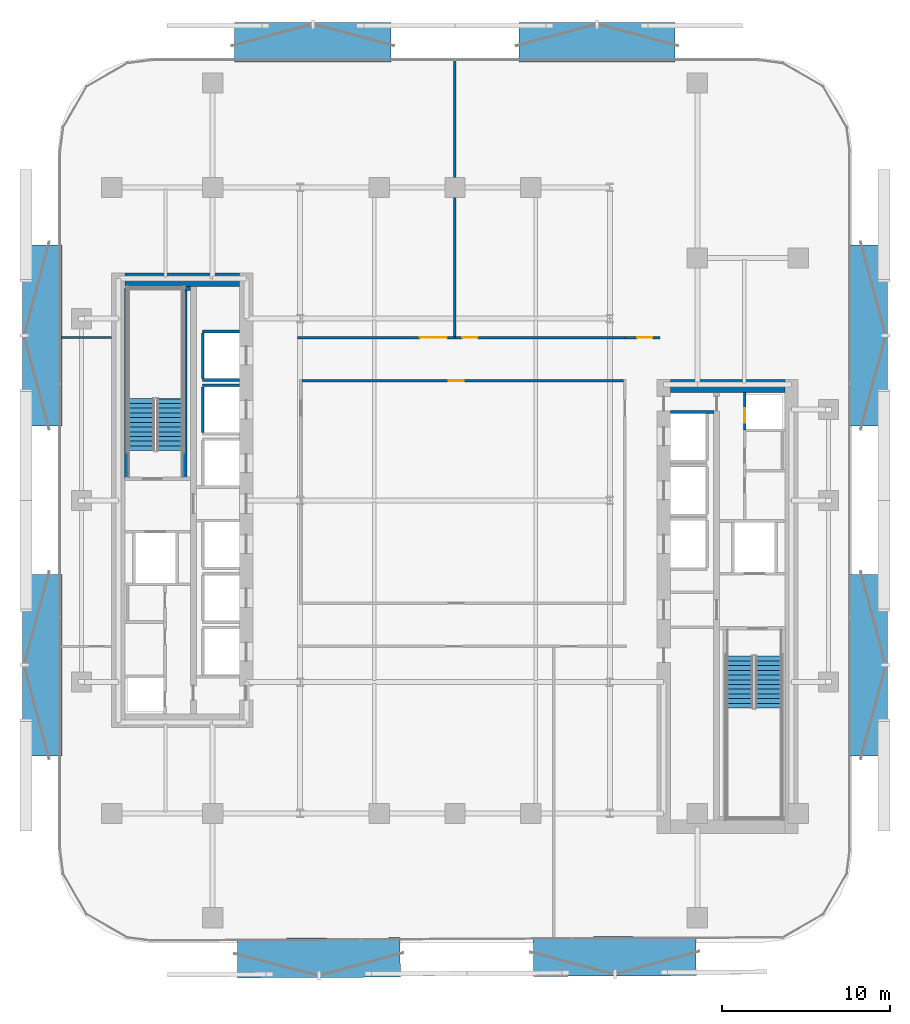
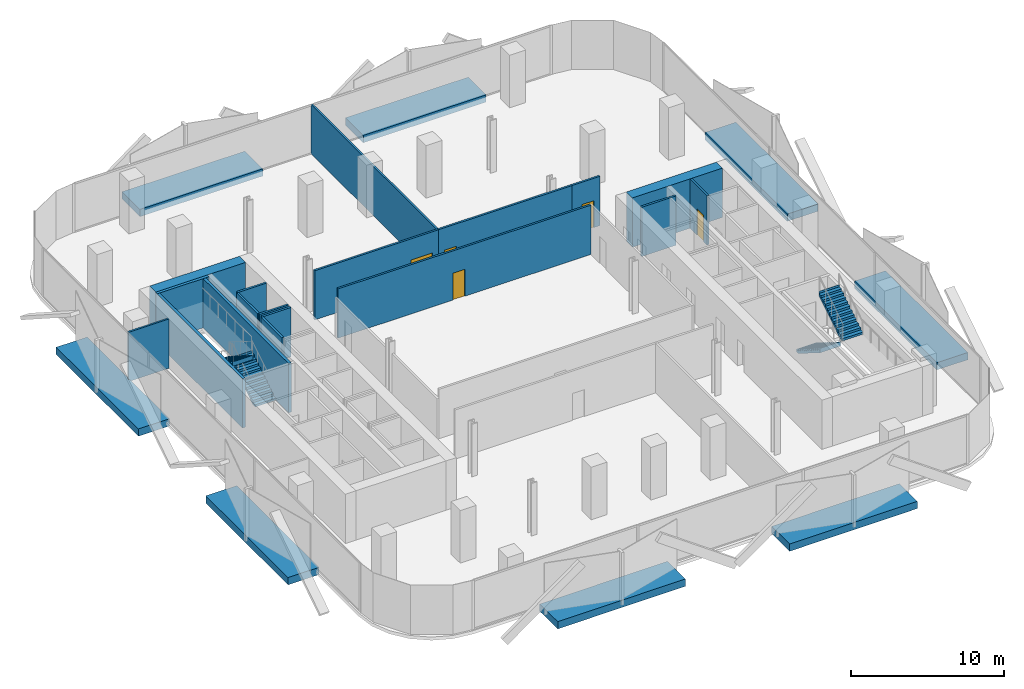
# One storey, part 5 of 14: 18 walls, 8 discrete accessories, 5 doors, 4 stair flights, 5 openings, 2 elements without a shape of their own.
"""IFC4 building model written with IfcOpenShell, lengths in metres."""

from ifc_helpers import new_model, si_unit, direction, frame, frame_2d, origin, origin_2d, place, context, subcontext, project, spatial, polyline, rectangle, outline, extrude, material, layer, layer_set, type_object, element, fill, aggregate, save


model = new_model("IFC4")

# Units and contexts
model_context = context("Model", 3, precision=1e-05, world=origin(), true_north=direction((0.0, 1.0)))
body_context = subcontext(model_context, "Body", "Model", "MODEL_VIEW")
ifc_project = project(units=[si_unit("LENGTHUNIT", "METRE"), si_unit("AREAUNIT", "SQUARE_METRE"), si_unit("VOLUMEUNIT", "CUBIC_METRE"), si_unit("PLANEANGLEUNIT", "RADIAN"), si_unit("MASSUNIT", "GRAM", prefix="KILO")], contexts=[model_context])

# Site, building, storey
site_placement = place(None, origin())
site = spatial("IfcSite", under=ifc_project, at=site_placement, CompositionType="ELEMENT")
building_placement = place(site_placement, origin())
building = spatial("IfcBuilding", under=site, at=building_placement, Name="Khairoan Windgate Tower", CompositionType="ELEMENT")
storey_placement = place(building_placement, frame((0.0, 0.0, 93.199951171875)))
storey = spatial("IfcBuildingStorey", under=building, at=storey_placement, Name="L21", CompositionType="ELEMENT", Elevation=93.199951171875)

# Walls
ifc_material_1 = material(Name="Concrete C40/50", Category="concrete")
ifc_layer_1 = layer(ifc_material_1, 0.159912109375, Name="Concrete C40/50")
ifc_layer_set_1 = layer_set([ifc_layer_1], Name="Concrete C40/50")
wall_type_1 = type_object("IfcWallType", Name="Core and Hoistway Enclosure Wall", PredefinedType="STANDARD", material=ifc_layer_set_1)
for number, where, z_axis, x_axis, name in (
    (1, (-14.989990234375, 7.159912109375, 0.0), (0.0, 0.0, 1.0), (1.0, 0.0, 0.0), "L21 Lift PL1 Hoistway Divider S"),
    (2, (-14.989990234375, 10.0400390625, 0.0), (0.0, 0.0, 1.0), (1.0, 0.0, 0.0), "L21 Lift PL1 Hoistway Divider N"),
):
    element("IfcWall", number, at=place(storey_placement, frame(where, z_axis=z_axis, x_axis=x_axis)), inside=storey, type_object=wall_type_1, Name=name, PredefinedType="STANDARD", context=body_context, shape_type="SweptSolid", body=[
        extrude(rectangle(XDim=2.18994140625, YDim=0.159912109375, at=frame_2d((1.094970703125, 0.0))), origin(), (0.0, 0.0, 1.0), 3.93994140625),
    ])
wall_1_placement = place(storey_placement, frame((-14.989990234375, 7.25, 0.0), z_axis=(0.0, 0.0, 1.0), x_axis=(0.0, 1.0, 0.0)))
element("IfcWall", 3, at=wall_1_placement, inside=storey, type_object=wall_type_1, Name="L21 Lift PL1 Hoistway Back Wall", PredefinedType="STANDARD", context=body_context, shape_type="SweptSolid", body=[
    extrude(rectangle(XDim=2.699951171875, YDim=0.159912109375, at=frame_2d((1.35009765625, 0.0))), origin(), (0.0, 0.0, 1.0), 3.93994140625),
])
wall_2_placement = place(storey_placement, frame((-14.989990234375, 6.840087890625, 0.0), z_axis=(0.0, 0.0, 1.0), x_axis=(1.0, 0.0, 0.0)))
element("IfcWall", 4, at=wall_2_placement, inside=storey, type_object=wall_type_1, Name="L21 Lift PL2 Hoistway Divider N", PredefinedType="STANDARD", context=body_context, shape_type="SweptSolid", body=[
    extrude(rectangle(XDim=2.18994140625, YDim=0.159912109375, at=frame_2d((1.094970703125, 0.0))), origin(), (0.0, 0.0, 1.0), 3.93994140625),
])
wall_3_placement = place(storey_placement, frame((-14.989990234375, 4.050048828125, 0.0), z_axis=(0.0, 0.0, 1.0), x_axis=(0.0, 1.0, 0.0)))
element("IfcWall", 5, at=wall_3_placement, inside=storey, type_object=wall_type_1, Name="L21 Lift PL2 Hoistway Back Wall", PredefinedType="STANDARD", context=body_context, shape_type="SweptSolid", body=[
    extrude(rectangle(XDim=2.699951171875, YDim=0.159912109375, at=frame_2d((1.35009765625, 0.0))), origin(), (0.0, 0.0, 1.0), 3.93994140625),
])
wall_4_placement = place(storey_placement, frame((12.800048828125, 5.25, 0.0), z_axis=(0.0, 0.0, 1.0), x_axis=(1.0, 0.0, 0.0)))
element("IfcWall", 6, at=wall_4_placement, inside=storey, type_object=wall_type_1, Name="L21 Core Shaft Wall SW-ESV-L21", PredefinedType="STANDARD", context=body_context, shape_type="SweptSolid", body=[
    extrude(rectangle(XDim=2.599853515625, YDim=0.159912109375, at=frame_2d((1.2998046875, 0.0))), origin(), (0.0, 0.0, 1.0), 3.93994140625),
])
ifc_material_2 = material(Name="Acoustic Fire-Rated Gypsum Partition", Category="gypsum")
ifc_layer_2 = layer(ifc_material_2, 0.139892578125, Name="Acoustic Fire-Rated Gypsum Partition")
ifc_layer_set_2 = layer_set([ifc_layer_2], Name="Acoustic Fire-Rated Gypsum Partition")
wall_type_2 = type_object("IfcWallType", Name="Inter-Tenancy Compartment Wall", PredefinedType="PARTITIONING", material=ifc_layer_set_2)
wall_5_placement = place(storey_placement, frame((-0.02001953125, 9.7548828125, 0.0), z_axis=(0.0, 0.0, 1.0), x_axis=(0.0, 1.0, 0.0)))
element("IfcWall", 7, at=wall_5_placement, inside=storey, type_object=wall_type_2, Name="L21 Interior Partition 020", PredefinedType="PARTITIONING", context=body_context, shape_type="SweptSolid", body=[
    extrude(rectangle(XDim=16.400146484375, YDim=0.139892578125, at=frame_2d((8.2001953125, 0.0))), origin(), (0.0, 0.0, 1.0), 3.93994140625),
])
wall_6_placement = place(storey_placement, frame((-23.455078125, 9.679931640625, 0.0), z_axis=(0.0, 0.0, 1.0), x_axis=(1.0, 0.0, 0.0)))
element("IfcWall", 8, at=wall_6_placement, inside=storey, type_object=wall_type_2, Name="L21 Interior Partition 021", PredefinedType="PARTITIONING", context=body_context, shape_type="SweptSolid", body=[
    extrude(rectangle(XDim=3.05517578125, YDim=0.139892578125, at=frame_2d((1.527587890625, 0.0))), origin(), (0.0, 0.0, 1.0), 3.93994140625),
])

# Wall, opening, door
ifc_material_3 = material(Name="Concrete C40/50", Category="concrete")
ifc_layer_3 = layer(ifc_material_3, 0.159912109375, Name="Concrete C40/50")
ifc_layer_set_3 = layer_set([ifc_layer_3], Name="Concrete C40/50")
wall_type_3 = type_object("IfcWallType", Name="Plant and Refuge Compartment Wall", PredefinedType="PARTITIONING", material=ifc_layer_set_3)
wall_7_placement = place(storey_placement, frame((17.22998046875, 4.169921875, 0.0), z_axis=(0.0, 0.0, 1.0), x_axis=(0.0, 1.0, 0.0)))
wall_7 = element("IfcWall", 9, at=wall_7_placement, inside=storey, type_object=wall_type_3, Name="L21 Interior Partition 006", PredefinedType="PARTITIONING", context=body_context, shape_type="SweptSolid", body=[
    extrude(rectangle(XDim=2.22998046875, YDim=0.159912109375, at=frame_2d((1.114990234375, 0.0))), origin(), (0.0, 0.0, 1.0), 3.93994140625),
])
opening_1_placement = place(wall_7_placement, frame((0.4599609375, 0.0, 0.0)))
opening_1 = element("IfcOpeningElement", 10, at=opening_1_placement, cuts=wall_7, Name="Opening FD-SRV", PredefinedType="OPENING", context=body_context, shape_type="SweptSolid", body=[
    extrude(rectangle(XDim=0.85009765625, YDim=2.10009765625, at=frame_2d((0.425048828125, 1.050048828125))), frame((0.0, 0.08984375, 0.0), z_axis=(0.0, -1.0, 0.0), x_axis=(1.0, 0.0, 0.0)), (0.0, 0.0, 1.0), 0.179931640625),
])
ifc_material_4 = material(Name="Steel S355", Category="steel")
door_type_1 = type_object("IfcDoorType", Name="Core Service and Riser Fire Door FD-SRV 850x2100", OperationType="NOTDEFINED", PredefinedType="DOOR", material=ifc_material_4)
door_1_placement = place(opening_1_placement, origin())
door_1 = element("IfcDoor", 11, at=door_1_placement, inside=storey, type_object=door_type_1, Name="L21 L21-19-L21-20 Door", OperationType="SINGLE_SWING_LEFT", OverallHeight=2.10009765625, OverallWidth=0.85009765625, PredefinedType="DOOR", context=body_context, shape_type="SweptSolid", body=[
    extrude(rectangle(XDim=0.85009765625, YDim=2.10009765625, at=frame_2d((0.425048828125, 1.050048828125))), frame((0.0, 0.02490234375, 0.0), z_axis=(0.0, -1.0, 0.0), x_axis=(1.0, 0.0, 0.0)), (0.0, 0.0, 1.0), 0.050048828125),
])
fill(opening_1, door_1)

ifc_material_5 = material(Name="Acoustic Fire-Rated Gypsum Partition", Category="gypsum")
ifc_layer_4 = layer(ifc_material_5, 0.14990234375, Name="Acoustic Fire-Rated Gypsum Partition")
ifc_layer_set_4 = layer_set([ifc_layer_4], Name="Acoustic Fire-Rated Gypsum Partition")
wall_type_4 = type_object("IfcWallType", Name="Rated Corridor Partition Wall", PredefinedType="PARTITIONING", material=ifc_layer_set_4)
wall_8_placement = place(storey_placement, frame((10.10009765625, 9.679931640625, 0.0), z_axis=(0.0, 0.0, 1.0), x_axis=(1.0, 0.0, 0.0)))
wall_8 = element("IfcWall", 12, at=wall_8_placement, inside=storey, type_object=wall_type_4, Name="L21 Interior Partition 013", PredefinedType="PARTITIONING", context=body_context, shape_type="SweptSolid", body=[
    extrude(rectangle(XDim=2.08984375, YDim=0.14990234375, at=frame_2d((1.044921875, 0.0))), origin(), (0.0, 0.0, 1.0), 3.93994140625),
])
opening_2_placement = place(wall_8_placement, frame((0.72998046875, 0.0, 0.0)))
opening_2 = element("IfcOpeningElement", 13, at=opening_2_placement, cuts=wall_8, Name="Opening FD-ENT", PredefinedType="OPENING", context=body_context, shape_type="SweptSolid", body=[
    extrude(rectangle(XDim=0.89990234375, YDim=2.14990234375, at=frame_2d((0.449951171875, 1.074951171875))), frame((0.0, 0.0849609375, 0.0), z_axis=(0.0, -1.0, 0.0), x_axis=(1.0, 0.0, 0.0)), (0.0, 0.0, 1.0), 0.169921875),
])
ifc_material_6 = material(Name="Timber Fire-Rated Core", Category="wood")
door_type_2 = type_object("IfcDoorType", Name="Unit and Office Fire Entrance Door FD-ENT 900x2150", OperationType="NOTDEFINED", PredefinedType="DOOR", material=ifc_material_6)
door_2_placement = place(opening_2_placement, origin())
door_2 = element("IfcDoor", 14, at=door_2_placement, inside=storey, type_object=door_type_2, Name="L21 L21-30-L21-35 Door", OperationType="SINGLE_SWING_RIGHT", OverallHeight=2.14990234375, OverallWidth=0.89990234375, PredefinedType="DOOR", context=body_context, shape_type="SweptSolid", body=[
    extrude(rectangle(XDim=0.89990234375, YDim=2.14990234375, at=frame_2d((0.449951171875, 1.074951171875))), frame((0.0, 0.02490234375, 0.0), z_axis=(0.0, -1.0, 0.0), x_axis=(1.0, 0.0, 0.0)), (0.0, 0.0, 1.0), 0.050048828125),
])
fill(opening_2, door_2)

wall_9_placement = place(storey_placement, frame((-9.0849609375, 7.1201171875, 0.0), z_axis=(0.0, 0.0, 1.0), x_axis=(1.0, 0.0, 0.0)))
wall_9 = element("IfcWall", 15, at=wall_9_placement, inside=storey, type_object=wall_type_4, Name="L21 Interior Partition 014", PredefinedType="PARTITIONING", context=body_context, shape_type="SweptSolid", body=[
    extrude(rectangle(XDim=19.10986328125, YDim=0.14990234375, at=frame_2d((9.554931640625, 0.0))), origin(), (0.0, 0.0, 1.0), 3.93994140625),
])
opening_3_placement = place(wall_9_placement, frame((8.702880859375, 0.0, 0.0)))
opening_3 = element("IfcOpeningElement", 16, at=opening_3_placement, cuts=wall_9, Name="Opening FD-ENT", PredefinedType="OPENING", context=body_context, shape_type="SweptSolid", body=[
    extrude(rectangle(XDim=0.89990234375, YDim=2.14990234375, at=frame_2d((0.449951171875, 1.074951171875))), frame((0.0, 0.0849609375, 0.0), z_axis=(0.0, -1.0, 0.0), x_axis=(1.0, 0.0, 0.0)), (0.0, 0.0, 1.0), 0.169921875),
])
door_3_placement = place(opening_3_placement, origin())
door_3 = element("IfcDoor", 17, at=door_3_placement, inside=storey, type_object=door_type_2, Name="L21 L21-31-L21-33 Door", OperationType="SINGLE_SWING_LEFT", OverallHeight=2.14990234375, OverallWidth=0.89990234375, PredefinedType="DOOR", context=body_context, shape_type="SweptSolid", body=[
    extrude(rectangle(XDim=0.89990234375, YDim=2.14990234375, at=frame_2d((0.449951171875, 1.074951171875))), frame((0.0, 0.02490234375, 0.0), z_axis=(0.0, -1.0, 0.0), x_axis=(1.0, 0.0, 0.0)), (0.0, 0.0, 1.0), 0.050048828125),
])
fill(opening_3, door_3)

wall_10_placement = place(storey_placement, frame((-9.360107421875, 9.679931640625, 0.0), z_axis=(0.0, 0.0, 1.0), x_axis=(1.0, 0.0, 0.0)))
wall_10 = element("IfcWall", 18, at=wall_10_placement, inside=storey, type_object=wall_type_4, Name="L21 Interior Partition 015", PredefinedType="PARTITIONING", context=body_context, shape_type="SweptSolid", body=[
    extrude(rectangle(XDim=9.340087890625, YDim=0.14990234375, at=frame_2d((4.669921875, 0.0))), origin(), (0.0, 0.0, 1.0), 3.93994140625),
])
opening_4_placement = place(wall_10_placement, frame((7.280029296875, 0.0, 0.0)))
opening_4 = element("IfcOpeningElement", 19, at=opening_4_placement, cuts=wall_10, Name="Opening FD-DBL", PredefinedType="OPENING", context=body_context, shape_type="SweptSolid", body=[
    extrude(rectangle(XDim=1.60009765625, YDim=2.25, at=frame_2d((0.800048828125, 1.125))), frame((0.0, 0.0849609375, 0.0), z_axis=(0.0, -1.0, 0.0), x_axis=(1.0, 0.0, 0.0)), (0.0, 0.0, 1.0), 0.169921875),
])
ifc_material_7 = material(Name="Steel S355", Category="steel")
door_type_3 = type_object("IfcDoorType", Name="Double Corridor Fire Door FD-DBL 1600x2250", OperationType="DOUBLE_DOOR_SINGLE_SWING", PredefinedType="DOOR", material=ifc_material_7)
door_4_placement = place(opening_4_placement, origin())
door_4 = element("IfcDoor", 20, at=door_4_placement, inside=storey, type_object=door_type_3, Name="L21 L21-31-L21-34 Door", OperationType="DOUBLE_DOOR_SINGLE_SWING", OverallHeight=2.25, OverallWidth=1.60009765625, PredefinedType="DOOR", context=body_context, shape_type="SweptSolid", body=[
    extrude(rectangle(XDim=1.60009765625, YDim=2.25, at=frame_2d((0.800048828125, 1.125))), frame((0.0, 0.02490234375, 0.0), z_axis=(0.0, -1.0, 0.0), x_axis=(1.0, 0.0, 0.0)), (0.0, 0.0, 1.0), 0.050048828125),
])
fill(opening_4, door_4)

wall_11_placement = place(storey_placement, frame((-0.02001953125, 9.679931640625, 0.0), z_axis=(0.0, 0.0, 1.0), x_axis=(1.0, 0.0, 0.0)))
wall_11 = element("IfcWall", 21, at=wall_11_placement, inside=storey, type_object=wall_type_4, Name="L21 Interior Partition 016", PredefinedType="PARTITIONING", context=body_context, shape_type="SweptSolid", body=[
    extrude(rectangle(XDim=10.1201171875, YDim=0.14990234375, at=frame_2d((5.06005859375, 0.0))), origin(), (0.0, 0.0, 1.0), 3.93994140625),
])
opening_5_placement = place(wall_11_placement, frame((0.4599609375, 0.0, 0.0)))
opening_5 = element("IfcOpeningElement", 22, at=opening_5_placement, cuts=wall_11, Name="Opening FD-ENT", PredefinedType="OPENING", context=body_context, shape_type="SweptSolid", body=[
    extrude(rectangle(XDim=0.89990234375, YDim=2.14990234375, at=frame_2d((0.449951171875, 1.074951171875))), frame((0.0, 0.0849609375, 0.0), z_axis=(0.0, -1.0, 0.0), x_axis=(1.0, 0.0, 0.0)), (0.0, 0.0, 1.0), 0.169921875),
])
door_5_placement = place(opening_5_placement, origin())
door_5 = element("IfcDoor", 23, at=door_5_placement, inside=storey, type_object=door_type_2, Name="L21 L21-31-L21-35 Door", OperationType="SINGLE_SWING_RIGHT", OverallHeight=2.14990234375, OverallWidth=0.89990234375, PredefinedType="DOOR", context=body_context, shape_type="SweptSolid", body=[
    extrude(rectangle(XDim=0.89990234375, YDim=2.14990234375, at=frame_2d((0.449951171875, 1.074951171875))), frame((0.0, 0.02490234375, 0.0), z_axis=(0.0, -1.0, 0.0), x_axis=(1.0, 0.0, 0.0)), (0.0, 0.0, 1.0), 0.050048828125),
])
fill(opening_5, door_5)

# Walls
ifc_material_8 = material(Name="Concrete C70/85", Category="concrete")
ifc_layer_5 = layer(ifc_material_8, 0.800048828125, Name="Concrete C70/85")
ifc_layer_set_5 = layer_set([ifc_layer_5], Name="Concrete C70/85")
wall_type_5 = type_object("IfcWallType", Name="Shear Wall CW-E1 800mm", PredefinedType="SHEAR", material=ifc_layer_set_5)
wall_12_placement = place(storey_placement, frame((12.800048828125, 6.800048828125, 0.0), z_axis=(0.0, 0.0, 1.0), x_axis=(1.0, 0.0, 0.0)))
element("IfcWall", 24, at=wall_12_placement, inside=storey, type_object=wall_type_5, Name="E Core North Shear Wall L21", PredefinedType="SHEAR", context=body_context, shape_type="SweptSolid", body=[
    extrude(rectangle(XDim=6.800048828125, YDim=0.800048828125, at=frame_2d((3.39990234375, 0.0))), origin(), (0.0, 0.0, 1.0), 3.93994140625),
])
ifc_material_9 = material(Name="Concrete C70/85", Category="concrete")
ifc_layer_6 = layer(ifc_material_9, 0.800048828125, Name="Concrete C70/85")
ifc_layer_set_6 = layer_set([ifc_layer_6], Name="Concrete C70/85")
wall_type_6 = type_object("IfcWallType", Name="Shear Wall CW-W1 800mm", PredefinedType="SHEAR", material=ifc_layer_set_6)
wall_13_placement = place(storey_placement, frame((-19.60009765625, 13.10009765625, 0.0), z_axis=(0.0, 0.0, 1.0), x_axis=(1.0, 0.0, 0.0)))
element("IfcWall", 25, at=wall_13_placement, inside=storey, type_object=wall_type_6, Name="W Core North Shear Wall L21", PredefinedType="SHEAR", context=body_context, shape_type="SweptSolid", body=[
    extrude(rectangle(XDim=6.800048828125, YDim=0.800048828125, at=frame_2d((3.39990234375, 0.0))), origin(), (0.0, 0.0, 1.0), 3.93994140625),
])
ifc_material_10 = material(Name="Concrete C50/60", Category="concrete")
ifc_layer_7 = layer(ifc_material_10, 0.219970703125, Name="Concrete C50/60")
ifc_layer_set_7 = layer_set([ifc_layer_7], Name="Concrete C50/60")
wall_type_7 = type_object("IfcWallType", Name="Shear Wall SW-ST 220mm", PredefinedType="SHEAR", material=ifc_layer_set_7)
for number, where, z_axis, x_axis, name in (
    (26, (-16.0400390625, 1.2900390625, 0.0), (0.0, 0.0, 1.0), (0.0, 1.0, 0.0), "L21 Stair ST2 East Bearing Wall"),
    (27, (-19.530029296875, 1.2900390625, 0.0), (0.0, 0.0, 1.0), (0.0, 1.0, 0.0), "L21 Stair ST2 West Bearing Wall"),
):
    element("IfcWall", number, at=place(storey_placement, frame(where, z_axis=z_axis, x_axis=x_axis)), inside=storey, type_object=wall_type_7, Name=name, PredefinedType="SHEAR", context=body_context, shape_type="SweptSolid", body=[
        extrude(rectangle(XDim=11.300048828125, YDim=0.219970703125, at=frame_2d((5.64990234375, 0.0))), origin(), (0.0, 0.0, 1.0), 3.93994140625),
    ])
wall_14_placement = place(storey_placement, frame((-19.6201171875, 12.590087890625, 0.0), z_axis=(0.0, 0.0, 1.0), x_axis=(1.0, 0.0, 0.0)))
element("IfcWall", 28, at=wall_14_placement, inside=storey, type_object=wall_type_7, Name="L21 Stair ST2 North Bearing Wall", PredefinedType="SHEAR", context=body_context, shape_type="SweptSolid", body=[
    extrude(rectangle(XDim=3.9150390625, YDim=0.219970703125, at=frame_2d((1.95751953125, 0.0))), origin(), (0.0, 0.0, 1.0), 3.93994140625),
])

# Stair, stair flights
ifc_material_11 = material(Name="Concrete C40/50", Category="concrete")
stair_type = type_object("IfcStairType", Name="Tower Core Dog-Leg Stair ST-T1 1560mm", PredefinedType="HALF_TURN_STAIR", material=ifc_material_11)
stair_1_placement = place(storey_placement, origin())
stair_1 = element("IfcStair", 29, at=stair_1_placement, inside=storey, type_object=stair_type, Name="L21 Stair ST1", PredefinedType="HALF_TURN_STAIR")
ifc_material_12 = material(Name="Concrete C40/50", Category="concrete")
ifc_layer_8 = layer(ifc_material_12, 0.14990234375, Name="Concrete C40/50")
ifc_layer_set_8 = layer_set([ifc_layer_8], Name="Concrete C40/50")
stair_flight_type = type_object("IfcStairFlightType", Name="Tower Core Stair Flight STF-1560", PredefinedType="STRAIGHT", material=ifc_layer_set_8)
stair_flight_1_placement = place(storey_placement, frame((16.929931640625, -9.260009765625, 0.0), z_axis=(0.0, 0.0, 1.0), x_axis=(0.0, -1.0, 0.0)))
stair_flight_1 = element("IfcStairFlight", 30, at=stair_flight_1_placement, type_object=stair_flight_type, Name="ST1 flight 1", NumberOfRisers=12, NumberOfTreads=11, PredefinedType="STRAIGHT", RiserHeight=0.175, TreadLength=0.28, context=body_context, shape_type="SweptSolid", body=[
    extrude(outline(polyline([(-0.00390625, 0.0), (-0.00390625, 0.175048828125), (0.0, 0.175048828125), (0.280029296875, 0.175048828125), (0.280029296875, 0.35009765625), (0.56005859375, 0.35009765625), (0.56005859375, 0.52490234375), (0.840087890625, 0.52490234375), (0.840087890625, 0.699951171875), (1.1201171875, 0.699951171875), (1.1201171875, 0.875), (1.39990234375, 0.875), (1.39990234375, 1.050048828125), (1.679931640625, 1.050048828125), (1.679931640625, 1.22509765625), (1.9599609375, 1.22509765625), (1.9599609375, 1.39990234375), (2.239990234375, 1.39990234375), (2.239990234375, 1.574951171875), (2.52001953125, 1.574951171875), (2.52001953125, 1.75), (2.800048828125, 1.75), (2.800048828125, 1.925048828125), (3.080078125, 1.925048828125), (3.080078125, 2.10009765625), (3.083984375, 2.10009765625), (3.083984375, 1.748291015625), (0.28271484375, 0.0), (-0.00390625, 0.0)])), frame((0.0, 0.780029296875, 0.0), z_axis=(0.0, -1.0, 0.0), x_axis=(1.0, 0.0, 0.0)), (0.0, 0.0, 1.0), 1.56005859375),
])
stair_flight_2_placement = place(storey_placement, frame((18.639892578125, -12.340087890625, 2.10009765625), z_axis=(0.0, 0.0, 1.0), x_axis=(0.0, 1.0, 0.0)))
stair_flight_2 = element("IfcStairFlight", 31, at=stair_flight_2_placement, type_object=stair_flight_type, Name="ST1 flight 2", NumberOfRisers=12, NumberOfTreads=11, PredefinedType="STRAIGHT", RiserHeight=0.175, TreadLength=0.28, context=body_context, shape_type="SweptSolid", body=[
    extrude(outline(polyline([(-0.00390625, 0.0), (-0.00390625, 0.175048828125), (0.0, 0.175048828125), (0.280029296875, 0.175048828125), (0.280029296875, 0.35009765625), (0.56005859375, 0.35009765625), (0.56005859375, 0.52490234375), (0.840087890625, 0.52490234375), (0.840087890625, 0.699951171875), (1.1201171875, 0.699951171875), (1.1201171875, 0.875), (1.39990234375, 0.875), (1.39990234375, 1.050048828125), (1.679931640625, 1.050048828125), (1.679931640625, 1.22509765625), (1.9599609375, 1.22509765625), (1.9599609375, 1.39990234375), (2.239990234375, 1.39990234375), (2.239990234375, 1.574951171875), (2.52001953125, 1.574951171875), (2.52001953125, 1.75), (2.800048828125, 1.75), (2.800048828125, 1.925048828125), (3.080078125, 1.925048828125), (3.080078125, 2.10009765625), (3.083984375, 2.10009765625), (3.083984375, 1.748291015625), (0.28271484375, 0.0), (-0.00390625, 0.0)])), frame((0.0, 0.780029296875, 0.0), z_axis=(0.0, -1.0, 0.0), x_axis=(1.0, 0.0, 0.0)), (0.0, 0.0, 1.0), 1.56005859375),
])
aggregate(stair_1, [stair_flight_1, stair_flight_2])

stair_2_placement = place(storey_placement, origin())
stair_2 = element("IfcStair", 32, at=stair_2_placement, inside=storey, type_object=stair_type, Name="L21 Stair ST2", PredefinedType="HALF_TURN_STAIR")
stair_flight_3_placement = place(storey_placement, frame((-16.929931640625, 2.9599609375, 0.0), z_axis=(0.0, 0.0, 1.0), x_axis=(0.0, 1.0, 0.0)))
stair_flight_3 = element("IfcStairFlight", 33, at=stair_flight_3_placement, type_object=stair_flight_type, Name="ST2 flight 1", NumberOfRisers=12, NumberOfTreads=11, PredefinedType="STRAIGHT", RiserHeight=0.175, TreadLength=0.28, context=body_context, shape_type="SweptSolid", body=[
    extrude(outline(polyline([(-0.00390625, 0.0), (-0.00390625, 0.175048828125), (0.0, 0.175048828125), (0.280029296875, 0.175048828125), (0.280029296875, 0.35009765625), (0.56005859375, 0.35009765625), (0.56005859375, 0.52490234375), (0.840087890625, 0.52490234375), (0.840087890625, 0.699951171875), (1.1201171875, 0.699951171875), (1.1201171875, 0.875), (1.39990234375, 0.875), (1.39990234375, 1.050048828125), (1.679931640625, 1.050048828125), (1.679931640625, 1.22509765625), (1.9599609375, 1.22509765625), (1.9599609375, 1.39990234375), (2.239990234375, 1.39990234375), (2.239990234375, 1.574951171875), (2.52001953125, 1.574951171875), (2.52001953125, 1.75), (2.800048828125, 1.75), (2.800048828125, 1.925048828125), (3.080078125, 1.925048828125), (3.080078125, 2.10009765625), (3.083984375, 2.10009765625), (3.083984375, 1.748291015625), (0.28271484375, 0.0), (-0.00390625, 0.0)])), frame((0.0, 0.780029296875, 0.0), z_axis=(0.0, -1.0, 0.0), x_axis=(1.0, 0.0, 0.0)), (0.0, 0.0, 1.0), 1.56005859375),
])
stair_flight_4_placement = place(storey_placement, frame((-18.639892578125, 6.0400390625, 2.10009765625), z_axis=(0.0, 0.0, 1.0), x_axis=(0.0, -1.0, 0.0)))
stair_flight_4 = element("IfcStairFlight", 34, at=stair_flight_4_placement, type_object=stair_flight_type, Name="ST2 flight 2", NumberOfRisers=12, NumberOfTreads=11, PredefinedType="STRAIGHT", RiserHeight=0.175, TreadLength=0.28, context=body_context, shape_type="SweptSolid", body=[
    extrude(outline(polyline([(-0.00390625, 0.0), (-0.00390625, 0.175048828125), (0.0, 0.175048828125), (0.280029296875, 0.175048828125), (0.280029296875, 0.35009765625), (0.56005859375, 0.35009765625), (0.56005859375, 0.52490234375), (0.840087890625, 0.52490234375), (0.840087890625, 0.699951171875), (1.1201171875, 0.699951171875), (1.1201171875, 0.875), (1.39990234375, 0.875), (1.39990234375, 1.050048828125), (1.679931640625, 1.050048828125), (1.679931640625, 1.22509765625), (1.9599609375, 1.22509765625), (1.9599609375, 1.39990234375), (2.239990234375, 1.39990234375), (2.239990234375, 1.574951171875), (2.52001953125, 1.574951171875), (2.52001953125, 1.75), (2.800048828125, 1.75), (2.800048828125, 1.925048828125), (3.080078125, 1.925048828125), (3.080078125, 2.10009765625), (3.083984375, 2.10009765625), (3.083984375, 1.748291015625), (0.28271484375, 0.0), (-0.00390625, 0.0)])), frame((0.0, 0.780029296875, 0.0), z_axis=(0.0, -1.0, 0.0), x_axis=(1.0, 0.0, 0.0)), (0.0, 0.0, 1.0), 1.56005859375),
])
aggregate(stair_2, [stair_flight_3, stair_flight_4])

# Discrete accessories
ifc_material_13 = material(Name="Steel S355", Category="steel")
discrete_accessory_type = type_object("IfcDiscreteAccessoryType", Name="Solar Screen Outrigger Slab Bracket SSB-1", PredefinedType="BRACKET", material=ifc_material_13)
for number, where, z_axis, x_axis, name in (
    (35, (9.497802734375, -27.09521484375, -0.419921875), (0.0, 0.0, 1.0), (-0.999988059021, -0.004886902454, 0.0), "L21 Solar Screen Outrigger Bracket 113"),
    (36, (-8.091064453125, -27.18115234375, -0.419921875), (0.0, 0.0, 1.0), (-0.999988059021, -0.004886902454, 0.0), "L21 Solar Screen Outrigger Bracket 114"),
):
    element("IfcDiscreteAccessory", number, at=place(storey_placement, frame(where, z_axis=z_axis, x_axis=x_axis)), inside=storey, type_object=discrete_accessory_type, Name=name, PredefinedType="BRACKET", context=body_context, shape_type="SweptSolid", body=[
        extrude(rectangle(XDim=9.674072265625, YDim=2.340087890625, at=origin_2d()), origin(), (0.0, 0.0, 1.0), 0.580078125),
    ])
for number, where, z_axis, x_axis, name in (
    (37, (-24.530029296875, -9.79541015625, -0.419921875), (0.0, 0.0, 1.0), (0.0, 1.0, 0.0), "L21 Solar Screen Outrigger Bracket 115"),
    (38, (-24.530029296875, 9.79541015625, -0.419921875), (0.0, 0.0, 1.0), (0.0, 1.0, 0.0), "L21 Solar Screen Outrigger Bracket 116"),
):
    element("IfcDiscreteAccessory", number, at=place(storey_placement, frame(where, z_axis=z_axis, x_axis=x_axis)), inside=storey, type_object=discrete_accessory_type, Name=name, PredefinedType="BRACKET", context=body_context, shape_type="SweptSolid", body=[
        extrude(rectangle(XDim=10.77490234375, YDim=2.340087890625, at=origin_2d()), origin(), (0.0, 0.0, 1.0), 0.580078125),
    ])
for number, where, z_axis, x_axis, name in (
    (39, (-8.4453125, 27.22998046875, -0.419921875), (0.0, 0.0, 1.0), (1.0, 0.0, 0.0), "L21 Solar Screen Outrigger Bracket 117"),
    (40, (8.4453125, 27.22998046875, -0.419921875), (0.0, 0.0, 1.0), (1.0, 0.0, 0.0), "L21 Solar Screen Outrigger Bracket 118"),
):
    element("IfcDiscreteAccessory", number, at=place(storey_placement, frame(where, z_axis=z_axis, x_axis=x_axis)), inside=storey, type_object=discrete_accessory_type, Name=name, PredefinedType="BRACKET", context=body_context, shape_type="SweptSolid", body=[
        extrude(rectangle(XDim=9.2900390625, YDim=2.340087890625, at=origin_2d()), origin(), (0.0, 0.0, 1.0), 0.580078125),
    ])
for number, where, z_axis, x_axis, name in (
    (41, (24.530029296875, 9.79541015625, -0.419921875), (0.0, 0.0, 1.0), (0.0, -1.0, 0.0), "L21 Solar Screen Outrigger Bracket 119"),
    (42, (24.530029296875, -9.79541015625, -0.419921875), (0.0, 0.0, 1.0), (0.0, -1.0, 0.0), "L21 Solar Screen Outrigger Bracket 120"),
):
    element("IfcDiscreteAccessory", number, at=place(storey_placement, frame(where, z_axis=z_axis, x_axis=x_axis)), inside=storey, type_object=discrete_accessory_type, Name=name, PredefinedType="BRACKET", context=body_context, shape_type="SweptSolid", body=[
        extrude(rectangle(XDim=10.77490234375, YDim=2.340087890625, at=origin_2d()), origin(), (0.0, 0.0, 1.0), 0.580078125),
    ])

save(model, "model.ifc")
